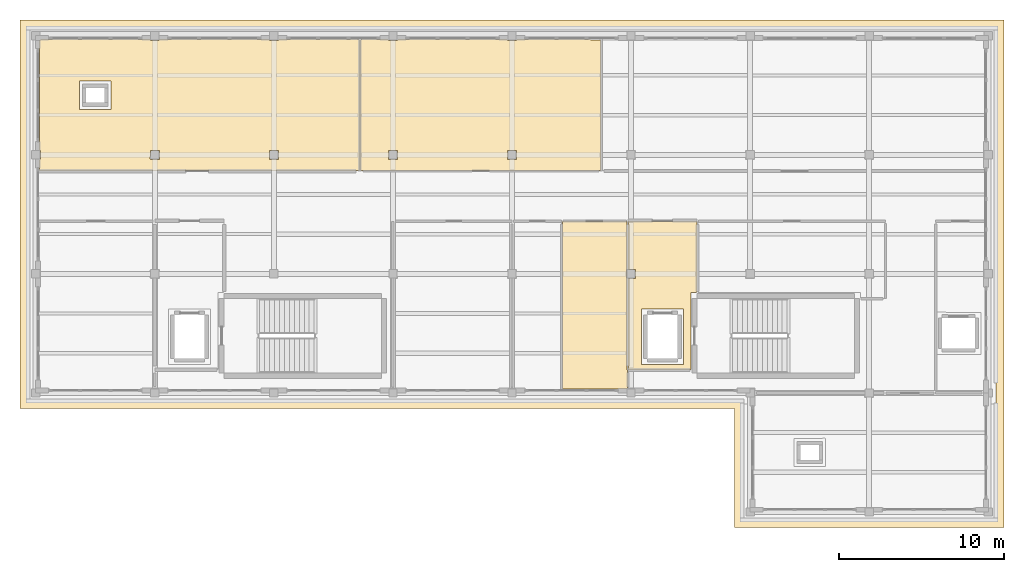
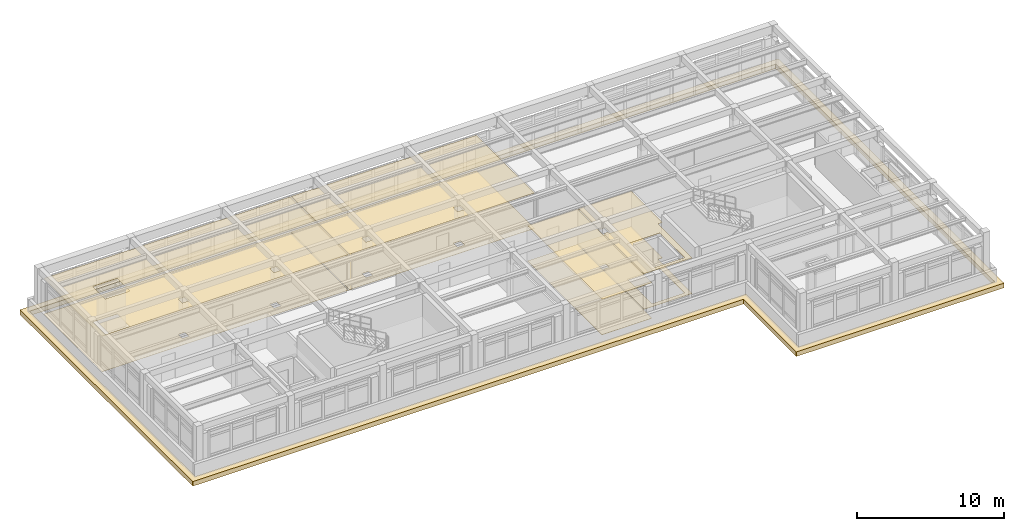
# One storey, part 17 of 18: 9 coverings.
"""IFC4 building model written with IfcOpenShell, lengths in metres."""

from ifc_helpers import new_model, si_unit, direction, frame, origin, place, context, subcontext, project, spatial, polyline, outline, extrude, material, layer, layer_set, type_object, element, save


model = new_model("IFC4")

# Units and contexts
model_context = context("Model", 3, precision=1e-05, world=origin(), true_north=direction((0.0, 1.0)))
body_context = subcontext(model_context, "Body", "Model", "MODEL_VIEW")
ifc_project = project(units=[si_unit("LENGTHUNIT", "METRE"), si_unit("AREAUNIT", "SQUARE_METRE"), si_unit("VOLUMEUNIT", "CUBIC_METRE"), si_unit("PLANEANGLEUNIT", "RADIAN"), si_unit("MASSUNIT", "GRAM", prefix="KILO")], contexts=[model_context])

# Site, building, storey
site_placement = place(None, origin())
site = spatial("IfcSite", under=ifc_project, at=site_placement, CompositionType="ELEMENT")
building_placement = place(site_placement, origin())
building = spatial("IfcBuilding", under=site, at=building_placement, Name="Solenvale Faculty of Natural Sciences", CompositionType="ELEMENT")
storey_placement = place(building_placement, frame((0.0, 0.0, 43.800048828125)))
storey = spatial("IfcBuildingStorey", under=building, at=storey_placement, Name="L10", CompositionType="ELEMENT", Elevation=43.800048828125)

# Coverings
ifc_material_1 = material(Name="Acoustic mineral-timber ceiling", Category="wood")
ifc_layer_1 = layer(ifc_material_1, 0.02490234375)
ifc_layer_set_1 = layer_set([ifc_layer_1], Name="Acoustic mineral-timber ceiling")
covering_type_1 = type_object("IfcCoveringType", Name="COV-CEIL-AC25", PredefinedType="CEILING", material=ifc_layer_set_1)
covering_1_placement = place(storey_placement, frame((0.0, 0.0, 2.93505859375)))
element("IfcCovering", 1, at=covering_1_placement, inside=storey, type_object=covering_type_1, Name="L10 Firefighting Lobby C5 Acoustic Ceiling", PredefinedType="CEILING", context=body_context, shape_type="SweptSolid", body=[
    extrude(outline(polyline([(133.580078125, 99.7099609375), (133.555908203125, 99.680908203125), (133.248046875, 99.679931640625), (133.219970703125, 99.652099609375), (133.212890625, 95.031005859375), (133.18994140625, 95.02001953125), (129.430908203125, 95.027099609375), (129.419921875, 95.050048828125), (129.419921875, 100.498046875), (129.447021484375, 100.52490234375), (129.873046875, 100.529052734375), (129.875, 101.06396484375), (129.864013671875, 101.074951171875), (129.447021484375, 101.074951171875), (129.4208984375, 101.09912109375), (129.419921875, 103.949951171875), (129.428955078125, 103.970947265625), (129.449951171875, 103.97998046875), (133.550048828125, 103.97998046875), (133.571044921875, 103.970947265625), (133.580078125, 103.949951171875), (133.580078125, 99.7099609375)]), holes=[polyline([(130.248046875, 98.679931640625), (130.22802734375, 98.669921875), (130.219970703125, 98.64990234375), (130.22607421875, 95.33203125), (130.25, 95.320068359375), (132.76806640625, 95.325927734375), (132.780029296875, 95.35009765625), (132.77392578125, 98.66796875), (132.75, 98.679931640625), (130.248046875, 98.679931640625)])]), origin(), (0.0, 0.0, 1.0), 0.02490234375),
])
covering_2_placement = place(storey_placement, frame((0.0, 0.0, 2.93505859375)))
element("IfcCovering", 2, at=covering_2_placement, inside=storey, type_object=covering_type_1, Name="L10 Biophysics and Neurobiology Research Laboratory Acoustic Ceiling", PredefinedType="CEILING", context=body_context, shape_type="SweptSolid", body=[
    extrude(outline(polyline([(93.840087890625, 114.89501953125), (93.847900390625, 114.916015625), (93.905029296875, 114.9599609375), (100.4951171875, 114.9599609375), (100.535888671875, 114.925048828125), (101.06591796875, 114.925048828125), (101.10498046875, 114.9599609375), (107.695068359375, 114.9599609375), (107.736083984375, 114.925048828125), (108.26611328125, 114.925048828125), (108.304931640625, 114.9599609375), (113.160888671875, 114.9580078125), (113.179931640625, 114.929931640625), (113.177978515625, 107.05908203125), (113.14990234375, 107.0400390625), (93.85888671875, 107.0419921875), (93.840087890625, 107.070068359375), (93.840087890625, 107.695068359375), (93.875, 107.73388671875), (93.875, 108.263916015625), (93.840087890625, 108.304931640625), (93.840087890625, 114.89501953125)]), holes=[polyline([(108.263916015625, 107.72509765625), (108.27490234375, 107.736083984375), (108.27197265625, 108.27197265625), (107.72802734375, 108.27197265625), (107.72802734375, 107.72802734375), (108.263916015625, 107.72509765625)]), polyline([(100.52490234375, 107.736083984375), (100.535888671875, 107.72509765625), (101.072021484375, 107.72802734375), (101.072021484375, 108.27197265625), (100.528076171875, 108.27197265625), (100.52490234375, 107.736083984375)]), polyline([(96.26806640625, 112.4599609375), (96.248046875, 112.449951171875), (96.239990234375, 112.429931640625), (96.239990234375, 110.77001953125), (96.25, 110.748046875), (98.1298828125, 110.739990234375), (98.152099609375, 110.75), (98.159912109375, 112.429931640625), (98.14990234375, 112.451904296875), (96.26806640625, 112.4599609375)])]), origin(), (0.0, 0.0, 1.0), 0.02490234375),
])
covering_3_placement = place(storey_placement, frame((0.0, 0.0, 2.93505859375)))
element("IfcCovering", 3, at=covering_3_placement, inside=storey, type_object=covering_type_1, Name="L10 Faculty Staff Office Acoustic Ceiling", PredefinedType="CEILING", context=body_context, shape_type="SweptSolid", body=[
    extrude(outline(polyline([(114.89501953125, 114.9599609375), (114.93603515625, 114.925048828125), (115.466064453125, 114.925048828125), (115.5048828125, 114.9599609375), (122.094970703125, 114.9599609375), (122.135986328125, 114.925048828125), (122.666015625, 114.925048828125), (122.705078125, 114.9599609375), (127.76708984375, 114.955078125), (127.780029296875, 114.929931640625), (127.77490234375, 107.052978515625), (127.75, 107.0400390625), (113.2529296875, 107.044921875), (113.239990234375, 107.070068359375), (113.240966796875, 114.93603515625), (113.27001953125, 114.9599609375), (114.89501953125, 114.9599609375)]), holes=[polyline([(122.6640625, 107.72509765625), (122.675048828125, 107.736083984375), (122.672119140625, 108.27197265625), (122.1279296875, 108.27197265625), (122.1279296875, 107.72802734375), (122.6640625, 107.72509765625)]), polyline([(114.925048828125, 107.736083984375), (114.93603515625, 107.72509765625), (115.471923828125, 107.72802734375), (115.471923828125, 108.27197265625), (114.927978515625, 108.27197265625), (114.925048828125, 107.736083984375)])]), origin(), (0.0, 0.0, 1.0), 0.02490234375),
])
covering_4_placement = place(storey_placement, frame((0.0, 0.0, 2.93505859375)))
element("IfcCovering", 4, at=covering_4_placement, inside=storey, type_object=covering_type_1, Name="L10 Analytical Balance Room Acoustic Ceiling", PredefinedType="CEILING", context=body_context, shape_type="SweptSolid", body=[
    extrude(outline(polyline([(129.366943359375, 93.8798828125), (129.294921875, 93.840087890625), (125.469970703125, 93.840087890625), (125.44189453125, 93.85888671875), (125.43994140625, 103.929931640625), (125.458984375, 103.9580078125), (129.330078125, 103.9599609375), (129.35791015625, 103.94091796875), (129.360107421875, 101.10498046875), (129.324951171875, 101.06591796875), (129.324951171875, 100.535888671875), (129.360107421875, 100.4951171875), (129.360107421875, 95.0), (129.3798828125, 94.950927734375), (129.3798828125, 93.905029296875), (129.366943359375, 93.8798828125)])), origin(), (0.0, 0.0, 1.0), 0.02490234375),
])
ifc_material_2 = material(Name="Polished slate terrazzo flooring", Category="masonry")
ifc_layer_2 = layer(ifc_material_2, 0.01806640625)
ifc_layer_set_2 = layer_set([ifc_layer_2], Name="Polished slate terrazzo flooring")
covering_type_2 = type_object("IfcCoveringType", Name="COV-FLR-TRZ18", PredefinedType="FLOORING", material=ifc_layer_set_2)
covering_5_placement = place(storey_placement, origin())
element("IfcCovering", 5, at=covering_5_placement, inside=storey, type_object=covering_type_2, Name="L10 Firefighting Lobby C5 Floor Finish", PredefinedType="FLOORING", context=body_context, shape_type="SweptSolid", body=[
    extrude(outline(polyline([(133.580078125, 99.7099609375), (133.555908203125, 99.680908203125), (133.248046875, 99.679931640625), (133.219970703125, 99.652099609375), (133.212890625, 95.031005859375), (133.18994140625, 95.02001953125), (129.430908203125, 95.027099609375), (129.419921875, 95.050048828125), (129.419921875, 100.498046875), (129.447021484375, 100.52490234375), (129.873046875, 100.529052734375), (129.875, 101.06396484375), (129.864013671875, 101.074951171875), (129.447021484375, 101.074951171875), (129.4208984375, 101.09912109375), (129.419921875, 103.949951171875), (129.428955078125, 103.970947265625), (129.449951171875, 103.97998046875), (133.550048828125, 103.97998046875), (133.571044921875, 103.970947265625), (133.580078125, 103.949951171875), (133.580078125, 99.7099609375)]), holes=[polyline([(130.248046875, 98.679931640625), (130.22802734375, 98.669921875), (130.219970703125, 98.64990234375), (130.22607421875, 95.33203125), (130.25, 95.320068359375), (132.76806640625, 95.325927734375), (132.780029296875, 95.35009765625), (132.77392578125, 98.66796875), (132.75, 98.679931640625), (130.248046875, 98.679931640625)])]), origin(), (0.0, 0.0, 1.0), 0.01806640625),
])
covering_6_placement = place(storey_placement, origin())
element("IfcCovering", 6, at=covering_6_placement, inside=storey, type_object=covering_type_2, Name="L10 Faculty Staff Office Floor Finish", PredefinedType="FLOORING", context=body_context, shape_type="SweptSolid", body=[
    extrude(outline(polyline([(114.89501953125, 114.9599609375), (114.93603515625, 114.925048828125), (115.466064453125, 114.925048828125), (115.5048828125, 114.9599609375), (122.094970703125, 114.9599609375), (122.135986328125, 114.925048828125), (122.666015625, 114.925048828125), (122.705078125, 114.9599609375), (127.76708984375, 114.955078125), (127.780029296875, 114.929931640625), (127.77490234375, 107.052978515625), (127.75, 107.0400390625), (113.2529296875, 107.044921875), (113.239990234375, 107.070068359375), (113.240966796875, 114.93603515625), (113.27001953125, 114.9599609375), (114.89501953125, 114.9599609375)]), holes=[polyline([(122.6640625, 107.72509765625), (122.675048828125, 107.736083984375), (122.672119140625, 108.27197265625), (122.1279296875, 108.27197265625), (122.1279296875, 107.72802734375), (122.6640625, 107.72509765625)]), polyline([(114.925048828125, 107.736083984375), (114.93603515625, 107.72509765625), (115.471923828125, 107.72802734375), (115.471923828125, 108.27197265625), (114.927978515625, 108.27197265625), (114.925048828125, 107.736083984375)])]), origin(), (0.0, 0.0, 1.0), 0.01806640625),
])
covering_7_placement = place(storey_placement, origin())
element("IfcCovering", 7, at=covering_7_placement, inside=storey, type_object=covering_type_2, Name="L10 Analytical Balance Room Floor Finish", PredefinedType="FLOORING", context=body_context, shape_type="SweptSolid", body=[
    extrude(outline(polyline([(129.366943359375, 93.8798828125), (129.294921875, 93.840087890625), (125.469970703125, 93.840087890625), (125.44189453125, 93.85888671875), (125.43994140625, 103.929931640625), (125.458984375, 103.9580078125), (129.330078125, 103.9599609375), (129.35791015625, 103.94091796875), (129.360107421875, 101.10498046875), (129.324951171875, 101.06591796875), (129.324951171875, 100.535888671875), (129.360107421875, 100.4951171875), (129.360107421875, 95.0), (129.3798828125, 94.950927734375), (129.3798828125, 93.905029296875), (129.366943359375, 93.8798828125)])), origin(), (0.0, 0.0, 1.0), 0.01806640625),
])
ifc_material_3 = material(Name="Seamless laboratory vinyl flooring")
ifc_layer_3 = layer(ifc_material_3, 0.008056640625)
ifc_layer_set_3 = layer_set([ifc_layer_3], Name="Seamless laboratory vinyl flooring")
covering_type_3 = type_object("IfcCoveringType", Name="COV-FLR-VNL08", PredefinedType="FLOORING", material=ifc_layer_set_3)
covering_8_placement = place(storey_placement, origin())
element("IfcCovering", 8, at=covering_8_placement, inside=storey, type_object=covering_type_3, Name="L10 Biophysics and Neurobiology Research Laboratory Floor Finish", PredefinedType="FLOORING", context=body_context, shape_type="SweptSolid", body=[
    extrude(outline(polyline([(93.840087890625, 114.89501953125), (93.847900390625, 114.916015625), (93.905029296875, 114.9599609375), (100.4951171875, 114.9599609375), (100.535888671875, 114.925048828125), (101.06591796875, 114.925048828125), (101.10498046875, 114.9599609375), (107.695068359375, 114.9599609375), (107.736083984375, 114.925048828125), (108.26611328125, 114.925048828125), (108.304931640625, 114.9599609375), (113.160888671875, 114.9580078125), (113.179931640625, 114.929931640625), (113.177978515625, 107.05908203125), (113.14990234375, 107.0400390625), (93.85888671875, 107.0419921875), (93.840087890625, 107.070068359375), (93.840087890625, 107.695068359375), (93.875, 107.73388671875), (93.875, 108.263916015625), (93.840087890625, 108.304931640625), (93.840087890625, 114.89501953125)]), holes=[polyline([(108.263916015625, 107.72509765625), (108.27490234375, 107.736083984375), (108.27197265625, 108.27197265625), (107.72802734375, 108.27197265625), (107.72802734375, 107.72802734375), (108.263916015625, 107.72509765625)]), polyline([(100.52490234375, 107.736083984375), (100.535888671875, 107.72509765625), (101.072021484375, 107.72802734375), (101.072021484375, 108.27197265625), (100.528076171875, 108.27197265625), (100.52490234375, 107.736083984375)]), polyline([(96.26806640625, 112.4599609375), (96.248046875, 112.449951171875), (96.239990234375, 112.429931640625), (96.239990234375, 110.77001953125), (96.25, 110.748046875), (98.1298828125, 110.739990234375), (98.152099609375, 110.75), (98.159912109375, 112.429931640625), (98.14990234375, 112.451904296875), (96.26806640625, 112.4599609375)])]), origin(), (0.0, 0.0, 1.0), 0.008056640625),
])
ifc_material_4 = material(Name="Insulated EPDM roofing membrane")
ifc_layer_4 = layer(ifc_material_4, 0.06494140625)
ifc_layer_set_4 = layer_set([ifc_layer_4], Name="Insulated EPDM roofing membrane")
covering_type_4 = type_object("IfcCoveringType", Name="COV-ROOF-MEMB", PredefinedType="ROOFING", material=ifc_layer_set_4)
covering_9_placement = place(storey_placement, frame((0.0, 0.0, -0.340087890625)))
element("IfcCovering", 9, at=covering_9_placement, inside=storey, type_object=covering_type_4, Name="L10 Projecting Horizontal Bronze Concrete Tray Ledge 1", PredefinedType="CLADDING", context=body_context, shape_type="SweptSolid", body=[
    extrude(outline(polyline([(92.669921875, 92.64990234375), (92.656005859375, 92.656005859375), (92.64990234375, 92.669921875), (92.64990234375, 116.1298828125), (92.662109375, 116.14794921875), (152.1298828125, 116.14990234375), (152.14794921875, 116.137939453125), (152.14990234375, 85.469970703125), (152.137939453125, 85.451904296875), (135.862060546875, 85.451904296875), (135.85009765625, 85.469970703125), (135.85009765625, 92.64990234375), (92.669921875, 92.64990234375)]), holes=[polyline([(93.1201171875, 93.1201171875), (136.302001953125, 93.1201171875), (136.31396484375, 93.114013671875), (136.320068359375, 93.10009765625), (136.320068359375, 85.919921875), (151.679931640625, 85.919921875), (151.679931640625, 115.679931640625), (93.1201171875, 115.679931640625), (93.1201171875, 93.1201171875)])]), origin(), (0.0, 0.0, 1.0), 0.380126953125),
])

save(model, "model.ifc")
